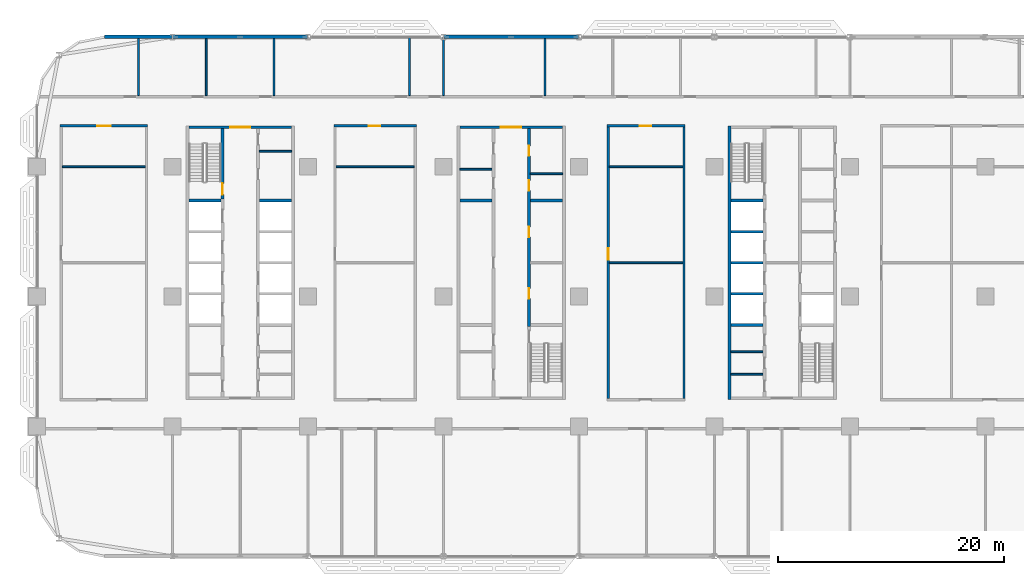
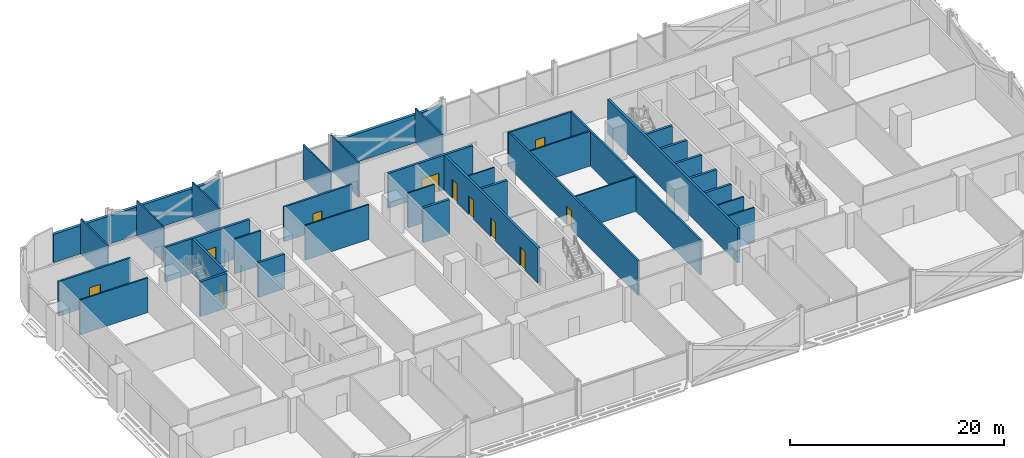
# One storey, part 14 of 29: 37 walls, 11 doors, 11 openings.
"""IFC4 building model written with IfcOpenShell, lengths in metres."""

from ifc_helpers import new_model, si_unit, direction, frame, frame_2d, origin, place, context, subcontext, project, spatial, rectangle, extrude, material, layer, layer_set, type_object, element, fill, save


model = new_model("IFC4")

# Units and contexts
model_context = context("Model", 3, precision=1e-05, world=origin(), true_north=direction((0.0, 1.0)))
body_context = subcontext(model_context, "Body", "Model", "MODEL_VIEW")
ifc_project = project(units=[si_unit("LENGTHUNIT", "METRE"), si_unit("AREAUNIT", "SQUARE_METRE"), si_unit("VOLUMEUNIT", "CUBIC_METRE"), si_unit("PLANEANGLEUNIT", "RADIAN"), si_unit("MASSUNIT", "GRAM", prefix="KILO")], contexts=[model_context])

# Site, building, storey
site_placement = place(None, origin())
site = spatial("IfcSite", under=ifc_project, at=site_placement, CompositionType="ELEMENT")
building_placement = place(site_placement, origin())
building = spatial("IfcBuilding", under=site, at=building_placement, Name="Mahtab Terrace Research Tower", CompositionType="ELEMENT")
storey_placement = place(building_placement, frame((0.0, 0.0, 54.60009765625)))
storey = spatial("IfcBuildingStorey", under=building, at=storey_placement, Name="L12", CompositionType="ELEMENT", Elevation=54.60009765625)

# Walls
ifc_material_1 = material(Name="Gypsum board partition")
ifc_layer_1 = layer(ifc_material_1, 0.14990234375)
ifc_layer_set_1 = layer_set([ifc_layer_1], Name="Core partition 150")
wall_type_1 = type_object("IfcWallType", Name="Core partition 150", PredefinedType="PARTITIONING", material=ifc_layer_set_1)
for number, where, z_axis, x_axis, name in (
    (1, (-22.300048828125, 12.875, 0.0), (0.0, 0.0, 1.0), (1.0, 0.0, 0.0), "Core wall A pEN988"),
    (2, (-4.550048828125, 11.27490234375, 0.0), (0.0, 0.0, 1.0), (1.0, 0.0, 0.0), "Core wall B pWN828"),
    (3, (1.699951171875, 10.875, 0.0), (0.0, 0.0, 1.0), (1.0, 0.0, 0.0), "Core wall B pEN788"),
    (4, (19.449951171875, -6.875, 0.0), (0.0, 0.0, 1.0), (1.0, 0.0, 0.0), "Core wall C pWS-988"),
    (5, (19.449951171875, -4.875, 0.0), (0.0, 0.0, 1.0), (1.0, 0.0, 0.0), "Core wall C pWS-788"),
):
    element("IfcWall", number, at=place(storey_placement, frame(where, z_axis=z_axis, x_axis=x_axis)), inside=storey, type_object=wall_type_1, Name=name, PredefinedType="PARTITIONING", context=body_context, shape_type="SweptSolid", body=[
        extrude(rectangle(XDim=2.85009765625, YDim=0.14990234375, at=frame_2d((1.425048828125, 0.0))), origin(), (0.0, 0.0, 1.0), 3.9599609375),
    ])

# Wall, opening, door
ifc_material_2 = material(Name="Concrete C70/85", Category="concrete")
ifc_layer_2 = layer(ifc_material_2, 0.25)
ifc_layer_set_2 = layer_set([ifc_layer_2], Name="Core wall 250")
wall_type_2 = type_object("IfcWallType", Name="Core wall 250", PredefinedType="SOLIDWALL", material=ifc_layer_set_2)
wall_1_placement = place(storey_placement, frame((-28.550048828125, 15.0, 0.0), z_axis=(0.0, 0.0, 1.0), x_axis=(1.0, 0.0, 0.0)))
wall_1 = element("IfcWall", 6, at=wall_1_placement, inside=storey, type_object=wall_type_2, Name="Core wall A endN", PredefinedType="SOLIDWALL", context=body_context, shape_type="SweptSolid", body=[
    extrude(rectangle(XDim=9.10009765625, YDim=0.25, at=frame_2d((4.550048828125, 0.0))), origin(), (0.0, 0.0, 1.0), 3.9599609375),
])
opening_1_placement = place(wall_1_placement, frame((3.64990234375, 0.0, 0.0)))
opening_1 = element("IfcOpeningElement", 7, at=opening_1_placement, cuts=wall_1, Name="Opening A-N1", PredefinedType="OPENING", context=body_context, shape_type="SweptSolid", body=[
    extrude(rectangle(XDim=1.800048828125, YDim=2.10009765625, at=frame_2d((0.89990234375, 1.050048828125))), frame((0.0, 0.135009765625, 0.0), z_axis=(0.0, -1.0, 0.0), x_axis=(1.0, 0.0, 0.0)), (0.0, 0.0, 1.0), 0.27001953125),
])
ifc_material_3 = material(Name="Steel fire door", Category="steel")
door_type_1 = type_object("IfcDoorType", Name="Lobby double door 1800x2100 1 HR", OperationType="DOUBLE_DOOR_SINGLE_SWING", PredefinedType="DOOR", material=ifc_material_3)
door_1_placement = place(opening_1_placement, origin())
door_1 = element("IfcDoor", 8, at=door_1_placement, inside=storey, type_object=door_type_1, Name="Core entrance door A N", OperationType="DOUBLE_DOOR_SINGLE_SWING", OverallHeight=2.10009765625, OverallWidth=1.800048828125, PredefinedType="DOOR", context=body_context, shape_type="SweptSolid", body=[
    extrude(rectangle(XDim=1.800048828125, YDim=2.10009765625, at=frame_2d((0.89990234375, 1.050048828125))), frame((0.0, 0.02490234375, 0.0), z_axis=(0.0, -1.0, 0.0), x_axis=(1.0, 0.0, 0.0)), (0.0, 0.0, 1.0), 0.050048828125),
])
fill(opening_1, door_1)

wall_2_placement = place(storey_placement, frame((-25.574951171875, 14.875, 0.0), z_axis=(0.0, 0.0, 1.0), x_axis=(0.0, -1.0, 0.0)))
wall_2 = element("IfcWall", 9, at=wall_2_placement, inside=storey, type_object=wall_type_2, Name="Core wall A innerWN", PredefinedType="SOLIDWALL", context=body_context, shape_type="SweptSolid", body=[
    extrude(rectangle(XDim=6.25, YDim=0.25, at=frame_2d((3.125, 0.0))), origin(), (0.0, 0.0, 1.0), 3.9599609375),
])
opening_2_placement = place(wall_2_placement, frame((4.85009765625, 0.0, 0.0)))
opening_2 = element("IfcOpeningElement", 10, at=opening_2_placement, cuts=wall_2, Name="Opening A-ST1", PredefinedType="OPENING", context=body_context, shape_type="SweptSolid", body=[
    extrude(rectangle(XDim=1.0, YDim=2.10009765625, at=frame_2d((0.5, 1.050048828125))), frame((0.0, 0.135009765625, 0.0), z_axis=(0.0, -1.0, 0.0), x_axis=(1.0, 0.0, 0.0)), (0.0, 0.0, 1.0), 0.27001953125),
])
door_type_2 = type_object("IfcDoorType", Name="Stair door 1000x2100 1.5 HR", OperationType="NOTDEFINED", PredefinedType="DOOR", material=ifc_material_3)
door_2_placement = place(opening_2_placement, origin())
door_2 = element("IfcDoor", 11, at=door_2_placement, inside=storey, type_object=door_type_2, Name="Stair door ST1 L12", OperationType="SINGLE_SWING_RIGHT", OverallHeight=2.10009765625, OverallWidth=1.0, PredefinedType="DOOR", context=body_context, shape_type="SweptSolid", body=[
    extrude(rectangle(XDim=1.0, YDim=2.10009765625, at=frame_2d((0.5, 1.050048828125))), frame((0.0, 0.02490234375, 0.0), z_axis=(0.0, -1.0, 0.0), x_axis=(1.0, 0.0, 0.0)), (0.0, 0.0, 1.0), 0.050048828125),
])
fill(opening_2, door_2)

# Walls
for number, where, z_axis, x_axis, name in (
    (12, (-28.550048828125, 8.5, 0.0), (0.0, 0.0, 1.0), (1.0, 0.0, 0.0), "Core wall A divW4"),
    (13, (-22.300048828125, 8.5, 0.0), (0.0, 0.0, 1.0), (1.0, 0.0, 0.0), "Core wall A divE4"),
):
    element("IfcWall", number, at=place(storey_placement, frame(where, z_axis=z_axis, x_axis=x_axis)), inside=storey, type_object=wall_type_2, Name=name, PredefinedType="SOLIDWALL", context=body_context, shape_type="SweptSolid", body=[
        extrude(rectangle(XDim=2.85009765625, YDim=0.25, at=frame_2d((1.425048828125, 0.0))), origin(), (0.0, 0.0, 1.0), 3.9599609375),
    ])

# Wall, opening, door
wall_3_placement = place(storey_placement, frame((-4.550048828125, 15.0, 0.0), z_axis=(0.0, 0.0, 1.0), x_axis=(1.0, 0.0, 0.0)))
wall_3 = element("IfcWall", 14, at=wall_3_placement, inside=storey, type_object=wall_type_2, Name="Core wall B endN", PredefinedType="SOLIDWALL", context=body_context, shape_type="SweptSolid", body=[
    extrude(rectangle(XDim=9.10009765625, YDim=0.25, at=frame_2d((4.550048828125, 0.0))), origin(), (0.0, 0.0, 1.0), 3.9599609375),
])
opening_3_placement = place(wall_3_placement, frame((3.64990234375, 0.0, 0.0)))
opening_3 = element("IfcOpeningElement", 15, at=opening_3_placement, cuts=wall_3, Name="Opening B-N1", PredefinedType="OPENING", context=body_context, shape_type="SweptSolid", body=[
    extrude(rectangle(XDim=1.800048828125, YDim=2.10009765625, at=frame_2d((0.89990234375, 1.050048828125))), frame((0.0, 0.135009765625, 0.0), z_axis=(0.0, -1.0, 0.0), x_axis=(1.0, 0.0, 0.0)), (0.0, 0.0, 1.0), 0.27001953125),
])
door_3_placement = place(opening_3_placement, origin())
door_3 = element("IfcDoor", 16, at=door_3_placement, inside=storey, type_object=door_type_1, Name="Core entrance door B N", OperationType="DOUBLE_DOOR_SINGLE_SWING", OverallHeight=2.10009765625, OverallWidth=1.800048828125, PredefinedType="DOOR", context=body_context, shape_type="SweptSolid", body=[
    extrude(rectangle(XDim=1.800048828125, YDim=2.10009765625, at=frame_2d((0.89990234375, 1.050048828125))), frame((0.0, 0.02490234375, 0.0), z_axis=(0.0, -1.0, 0.0), x_axis=(1.0, 0.0, 0.0)), (0.0, 0.0, 1.0), 0.050048828125),
])
fill(opening_3, door_3)

# Wall, openings, doors
wall_4_placement = place(storey_placement, frame((1.574951171875, 14.875, 0.0), z_axis=(0.0, 0.0, 1.0), x_axis=(0.0, -1.0, 0.0)))
wall_4 = element("IfcWall", 17, at=wall_4_placement, inside=storey, type_object=wall_type_2, Name="Core wall B innerELN", PredefinedType="SOLIDWALL", context=body_context, shape_type="SweptSolid", body=[
    extrude(rectangle(XDim=17.5, YDim=0.25, at=frame_2d((8.75, 0.0))), origin(), (0.0, 0.0, 1.0), 3.9599609375),
])
opening_4_placement = place(wall_4_placement, frame((14.14990234375, 0.0, 0.0)))
opening_4 = element("IfcOpeningElement", 18, at=opening_4_placement, cuts=wall_4, Name="Opening B-R2", PredefinedType="OPENING", context=body_context, shape_type="SweptSolid", body=[
    extrude(rectangle(XDim=0.89990234375, YDim=2.10009765625, at=frame_2d((0.449951171875, 1.050048828125))), frame((0.0, 0.135009765625, 0.0), z_axis=(0.0, -1.0, 0.0), x_axis=(1.0, 0.0, 0.0)), (0.0, 0.0, 1.0), 0.27001953125),
])
opening_5_placement = place(wall_4_placement, frame((8.699951171875, 0.0, 0.0)))
opening_5 = element("IfcOpeningElement", 19, at=opening_5_placement, cuts=wall_4, Name="Opening B-R3", PredefinedType="OPENING", context=body_context, shape_type="SweptSolid", body=[
    extrude(rectangle(XDim=0.89990234375, YDim=2.10009765625, at=frame_2d((0.449951171875, 1.050048828125))), frame((0.0, 0.135009765625, 0.0), z_axis=(0.0, -1.0, 0.0), x_axis=(1.0, 0.0, 0.0)), (0.0, 0.0, 1.0), 0.27001953125),
])
opening_6_placement = place(wall_4_placement, frame((4.58740234375, 0.0, 0.0)))
opening_6 = element("IfcOpeningElement", 20, at=opening_6_placement, cuts=wall_4, Name="Opening B-R8", PredefinedType="OPENING", context=body_context, shape_type="SweptSolid", body=[
    extrude(rectangle(XDim=0.89990234375, YDim=2.10009765625, at=frame_2d((0.449951171875, 1.050048828125))), frame((0.0, 0.135009765625, 0.0), z_axis=(0.0, -1.0, 0.0), x_axis=(1.0, 0.0, 0.0)), (0.0, 0.0, 1.0), 0.27001953125),
])
opening_7_placement = place(wall_4_placement, frame((1.512451171875, 0.0, 0.0)))
opening_7 = element("IfcOpeningElement", 21, at=opening_7_placement, cuts=wall_4, Name="Opening B-R9", PredefinedType="OPENING", context=body_context, shape_type="SweptSolid", body=[
    extrude(rectangle(XDim=0.89990234375, YDim=2.10009765625, at=frame_2d((0.449951171875, 1.050048828125))), frame((0.0, 0.135009765625, 0.0), z_axis=(0.0, -1.0, 0.0), x_axis=(1.0, 0.0, 0.0)), (0.0, 0.0, 1.0), 0.27001953125),
])
door_type_3 = type_object("IfcDoorType", Name="Room door 900x2100 1 HR", OperationType="NOTDEFINED", PredefinedType="DOOR", material=ifc_material_3)
door_4_placement = place(opening_4_placement, origin())
door_4 = element("IfcDoor", 22, at=door_4_placement, inside=storey, type_object=door_type_3, Name="Document store door", OperationType="SINGLE_SWING_RIGHT", OverallHeight=2.10009765625, OverallWidth=0.89990234375, PredefinedType="DOOR", context=body_context, shape_type="SweptSolid", body=[
    extrude(rectangle(XDim=0.89990234375, YDim=2.10009765625, at=frame_2d((0.449951171875, 1.050048828125))), frame((0.0, 0.02490234375, 0.0), z_axis=(0.0, -1.0, 0.0), x_axis=(1.0, 0.0, 0.0)), (0.0, 0.0, 1.0), 0.050048828125),
])
fill(opening_4, door_4)
door_5_placement = place(opening_5_placement, origin())
door_5 = element("IfcDoor", 23, at=door_5_placement, inside=storey, type_object=door_type_3, Name="IT equipment room door", OperationType="SINGLE_SWING_LEFT", OverallHeight=2.10009765625, OverallWidth=0.89990234375, PredefinedType="DOOR", context=body_context, shape_type="SweptSolid", body=[
    extrude(rectangle(XDim=0.89990234375, YDim=2.10009765625, at=frame_2d((0.449951171875, 1.050048828125))), frame((0.0, 0.02490234375, 0.0), z_axis=(0.0, -1.0, 0.0), x_axis=(1.0, 0.0, 0.0)), (0.0, 0.0, 1.0), 0.050048828125),
])
fill(opening_5, door_5)
door_6_placement = place(opening_6_placement, origin())
door_6 = element("IfcDoor", 24, at=door_6_placement, inside=storey, type_object=door_type_3, Name="Accessible WC door", OperationType="SINGLE_SWING_RIGHT", OverallHeight=2.10009765625, OverallWidth=0.89990234375, PredefinedType="DOOR", context=body_context, shape_type="SweptSolid", body=[
    extrude(rectangle(XDim=0.89990234375, YDim=2.10009765625, at=frame_2d((0.449951171875, 1.050048828125))), frame((0.0, 0.02490234375, 0.0), z_axis=(0.0, -1.0, 0.0), x_axis=(1.0, 0.0, 0.0)), (0.0, 0.0, 1.0), 0.050048828125),
])
fill(opening_6, door_6)
door_7_placement = place(opening_7_placement, origin())
door_7 = element("IfcDoor", 25, at=door_7_placement, inside=storey, type_object=door_type_3, Name="WC block door", OperationType="SINGLE_SWING_LEFT", OverallHeight=2.10009765625, OverallWidth=0.89990234375, PredefinedType="DOOR", context=body_context, shape_type="SweptSolid", body=[
    extrude(rectangle(XDim=0.89990234375, YDim=2.10009765625, at=frame_2d((0.449951171875, 1.050048828125))), frame((0.0, 0.02490234375, 0.0), z_axis=(0.0, -1.0, 0.0), x_axis=(1.0, 0.0, 0.0)), (0.0, 0.0, 1.0), 0.050048828125),
])
fill(opening_7, door_7)

# Walls
for number, where, z_axis, x_axis, name in (
    (26, (-4.550048828125, 8.5, 0.0), (0.0, 0.0, 1.0), (1.0, 0.0, 0.0), "Core wall B divW4"),
    (27, (1.699951171875, 8.5, 0.0), (0.0, 0.0, 1.0), (1.0, 0.0, 0.0), "Core wall B divE4"),
):
    element("IfcWall", number, at=place(storey_placement, frame(where, z_axis=z_axis, x_axis=x_axis)), inside=storey, type_object=wall_type_2, Name=name, PredefinedType="SOLIDWALL", context=body_context, shape_type="SweptSolid", body=[
        extrude(rectangle(XDim=2.85009765625, YDim=0.25, at=frame_2d((1.425048828125, 0.0))), origin(), (0.0, 0.0, 1.0), 3.9599609375),
    ])
wall_5_placement = place(storey_placement, frame((19.324951171875, 15.125, 0.0), z_axis=(0.0, 0.0, 1.0), x_axis=(0.0, -1.0, 0.0)))
element("IfcWall", 28, at=wall_5_placement, inside=storey, type_object=wall_type_2, Name="Core wall C outerW", PredefinedType="SOLIDWALL", context=body_context, shape_type="SweptSolid", body=[
    extrude(rectangle(XDim=24.25, YDim=0.25, at=frame_2d((12.125, 0.0))), origin(), (0.0, 0.0, 1.0), 3.9599609375),
])
for number, where, z_axis, x_axis, name in (
    (29, (19.449951171875, -2.5, 0.0), (0.0, 0.0, 1.0), (1.0, 0.0, 0.0), "Core wall C divW0"),
    (30, (19.449951171875, 0.25, 0.0), (0.0, 0.0, 1.0), (1.0, 0.0, 0.0), "Core wall C divW1"),
    (31, (19.449951171875, 3.0, 0.0), (0.0, 0.0, 1.0), (1.0, 0.0, 0.0), "Core wall C divW2"),
    (32, (19.449951171875, 5.75, 0.0), (0.0, 0.0, 1.0), (1.0, 0.0, 0.0), "Core wall C divW3"),
    (33, (19.449951171875, 8.5, 0.0), (0.0, 0.0, 1.0), (1.0, 0.0, 0.0), "Core wall C divW4"),
):
    element("IfcWall", number, at=place(storey_placement, frame(where, z_axis=z_axis, x_axis=x_axis)), inside=storey, type_object=wall_type_2, Name=name, PredefinedType="SOLIDWALL", context=body_context, shape_type="SweptSolid", body=[
        extrude(rectangle(XDim=2.85009765625, YDim=0.25, at=frame_2d((1.425048828125, 0.0))), origin(), (0.0, 0.0, 1.0), 3.9599609375),
    ])
ifc_material_4 = material(Name="Black aluminium cladding panel", Category="aluminium")
ifc_layer_3 = layer(ifc_material_4, 0.300048828125)
ifc_layer_set_3 = layer_set([ifc_layer_3], Name="Opaque facade wall 300")
wall_type_3 = type_object("IfcWallType", Name="Opaque facade wall 300", PredefinedType="NOTDEFINED", material=ifc_layer_set_3)
for number, where, z_axis, x_axis, name in (
    (34, (5.97607421875, 23.0, 0.0), (0.0, 0.0, 1.0), (-1.0, 0.0, 0.0), "Opaque facade wall L12 N7"),
    (35, (-18.02392578125, 23.0, 0.0), (0.0, 0.0, 1.0), (-1.0, 0.0, 0.0), "Opaque facade wall L12 N9"),
):
    element("IfcWall", number, at=place(storey_placement, frame(where, z_axis=z_axis, x_axis=x_axis)), inside=storey, type_object=wall_type_3, Name=name, PredefinedType="NOTDEFINED", context=body_context, shape_type="SweptSolid", body=[
        extrude(rectangle(XDim=11.9521484375, YDim=0.300048828125, at=frame_2d((5.97607421875, 0.0))), origin(), (0.0, 0.0, 1.0), 3.202880859375),
    ])
wall_6_placement = place(storey_placement, frame((-30.02392578125, 23.0, 0.0), z_axis=(0.0, 0.0, 1.0), x_axis=(-1.0, 0.0, 0.0)))
element("IfcWall", 36, at=wall_6_placement, inside=storey, type_object=wall_type_3, Name="Opaque facade wall L12 N10", PredefinedType="NOTDEFINED", context=body_context, shape_type="SweptSolid", body=[
    extrude(rectangle(XDim=5.97607421875, YDim=0.300048828125, at=frame_2d((2.988037109375, 0.0))), origin(), (0.0, 0.0, 1.0), 3.202880859375),
])

# Wall, opening, door
ifc_material_5 = material(Name="Gypsum board corridor wall on steel studs", Category="steel")
ifc_layer_4 = layer(ifc_material_5, 0.199951171875)
ifc_layer_set_4 = layer_set([ifc_layer_4], Name="WALL CORRIDOR 200")
wall_type_4 = type_object("IfcWallType", Name="WALL CORRIDOR 200", PredefinedType="PARTITIONING", material=ifc_layer_set_4)
wall_7_placement = place(storey_placement, frame((-39.949951171875, 15.125, 0.0), z_axis=(0.0, 0.0, 1.0), x_axis=(1.0, 0.0, 0.0)))
wall_7 = element("IfcWall", 37, at=wall_7_placement, inside=storey, type_object=wall_type_4, Name="L12-W022", PredefinedType="PARTITIONING", context=body_context, shape_type="SweptSolid", body=[
    extrude(rectangle(XDim=7.75, YDim=0.199951171875, at=frame_2d((3.875, 0.0))), origin(), (0.0, 0.0, 1.0), 3.9599609375),
])
opening_8_placement = place(wall_7_placement, frame((3.300048828125, 0.0, 0.0)))
opening_8 = element("IfcOpeningElement", 38, at=opening_8_placement, cuts=wall_7, Name="Opening L12-126", PredefinedType="OPENING", context=body_context, shape_type="SweptSolid", body=[
    extrude(rectangle(XDim=1.199951171875, YDim=2.10009765625, at=frame_2d((0.60009765625, 1.050048828125))), frame((0.0, 0.10986328125, 0.0), z_axis=(0.0, -1.0, 0.0), x_axis=(1.0, 0.0, 0.0)), (0.0, 0.0, 1.0), 0.219970703125),
])
ifc_material_6 = material(Name="Timber door leaf in steel frame", Category="steel")
door_type_4 = type_object("IfcDoorType", Name="DOOR 1200X2100 FD30S", OperationType="SINGLE_SWING_LEFT", PredefinedType="DOOR", material=ifc_material_6)
door_8_placement = place(opening_8_placement, origin())
door_8 = element("IfcDoor", 39, at=door_8_placement, inside=storey, type_object=door_type_4, Name="Door L12-126", OperationType="SINGLE_SWING_LEFT", OverallHeight=2.10009765625, OverallWidth=1.199951171875, PredefinedType="DOOR", context=body_context, shape_type="SweptSolid", body=[
    extrude(rectangle(XDim=1.199951171875, YDim=2.10009765625, at=frame_2d((0.60009765625, 1.050048828125))), frame((0.0, 0.02490234375, 0.0), z_axis=(0.0, -1.0, 0.0), x_axis=(1.0, 0.0, 0.0)), (0.0, 0.0, 1.0), 0.050048828125),
])
fill(opening_8, door_8)

wall_8_placement = place(storey_placement, frame((-15.699951171875, 15.125, 0.0), z_axis=(0.0, 0.0, 1.0), x_axis=(1.0, 0.0, 0.0)))
wall_8 = element("IfcWall", 40, at=wall_8_placement, inside=storey, type_object=wall_type_4, Name="L12-W023", PredefinedType="PARTITIONING", context=body_context, shape_type="SweptSolid", body=[
    extrude(rectangle(XDim=7.300048828125, YDim=0.199951171875, at=frame_2d((3.64990234375, 0.0))), origin(), (0.0, 0.0, 1.0), 3.9599609375),
])
opening_9_placement = place(wall_8_placement, frame((3.10009765625, 0.0, 0.0)))
opening_9 = element("IfcOpeningElement", 41, at=opening_9_placement, cuts=wall_8, Name="Opening L12-127", PredefinedType="OPENING", context=body_context, shape_type="SweptSolid", body=[
    extrude(rectangle(XDim=1.0, YDim=2.10009765625, at=frame_2d((0.5, 1.050048828125))), frame((0.0, 0.10986328125, 0.0), z_axis=(0.0, -1.0, 0.0), x_axis=(1.0, 0.0, 0.0)), (0.0, 0.0, 1.0), 0.219970703125),
])
door_type_5 = type_object("IfcDoorType", Name="DOOR 1000X2100 FD30S", OperationType="SINGLE_SWING_LEFT", PredefinedType="DOOR", material=ifc_material_6)
door_9_placement = place(opening_9_placement, origin())
door_9 = element("IfcDoor", 42, at=door_9_placement, inside=storey, type_object=door_type_5, Name="Door L12-127", OperationType="SINGLE_SWING_RIGHT", OverallHeight=2.10009765625, OverallWidth=1.0, PredefinedType="DOOR", context=body_context, shape_type="SweptSolid", body=[
    extrude(rectangle(XDim=1.0, YDim=2.10009765625, at=frame_2d((0.5, 1.050048828125))), frame((0.0, 0.02490234375, 0.0), z_axis=(0.0, -1.0, 0.0), x_axis=(1.0, 0.0, 0.0)), (0.0, 0.0, 1.0), 0.050048828125),
])
fill(opening_9, door_9)

wall_9_placement = place(storey_placement, frame((8.5, 15.125, 0.0), z_axis=(0.0, 0.0, 1.0), x_axis=(1.0, 0.0, 0.0)))
wall_9 = element("IfcWall", 43, at=wall_9_placement, inside=storey, type_object=wall_type_4, Name="L12-W024", PredefinedType="PARTITIONING", context=body_context, shape_type="SweptSolid", body=[
    extrude(rectangle(XDim=6.89990234375, YDim=0.199951171875, at=frame_2d((3.449951171875, 0.0))), origin(), (0.0, 0.0, 1.0), 3.9599609375),
])
opening_10_placement = place(wall_9_placement, frame((2.89990234375, 0.0, 0.0)))
opening_10 = element("IfcOpeningElement", 44, at=opening_10_placement, cuts=wall_9, Name="Opening L12-128", PredefinedType="OPENING", context=body_context, shape_type="SweptSolid", body=[
    extrude(rectangle(XDim=1.0, YDim=2.10009765625, at=frame_2d((0.5, 1.050048828125))), frame((0.0, 0.10986328125, 0.0), z_axis=(0.0, -1.0, 0.0), x_axis=(1.0, 0.0, 0.0)), (0.0, 0.0, 1.0), 0.219970703125),
])
door_10_placement = place(opening_10_placement, origin())
door_10 = element("IfcDoor", 45, at=door_10_placement, inside=storey, type_object=door_type_5, Name="Door L12-128", OperationType="SINGLE_SWING_RIGHT", OverallHeight=2.10009765625, OverallWidth=1.0, PredefinedType="DOOR", context=body_context, shape_type="SweptSolid", body=[
    extrude(rectangle(XDim=1.0, YDim=2.10009765625, at=frame_2d((0.5, 1.050048828125))), frame((0.0, 0.02490234375, 0.0), z_axis=(0.0, -1.0, 0.0), x_axis=(1.0, 0.0, 0.0)), (0.0, 0.0, 1.0), 0.050048828125),
])
fill(opening_10, door_10)

wall_10_placement = place(storey_placement, frame((8.60009765625, -9.02490234375, 0.0), z_axis=(0.0, 0.0, 1.0), x_axis=(0.0, 1.0, 0.0)))
wall_10 = element("IfcWall", 46, at=wall_10_placement, inside=storey, type_object=wall_type_4, Name="L12-W044", PredefinedType="PARTITIONING", context=body_context, shape_type="SweptSolid", body=[
    extrude(rectangle(XDim=24.0498046875, YDim=0.199951171875, at=frame_2d((12.02490234375, 0.0))), origin(), (0.0, 0.0, 1.0), 3.9599609375),
])
opening_11_placement = place(wall_10_placement, frame((12.300048828125, 0.0, 0.0)))
opening_11 = element("IfcOpeningElement", 47, at=opening_11_placement, cuts=wall_10, Name="Opening L12-123", PredefinedType="OPENING", context=body_context, shape_type="SweptSolid", body=[
    extrude(rectangle(XDim=1.0, YDim=2.10009765625, at=frame_2d((0.5, 1.050048828125))), frame((0.0, 0.10986328125, 0.0), z_axis=(0.0, -1.0, 0.0), x_axis=(1.0, 0.0, 0.0)), (0.0, 0.0, 1.0), 0.219970703125),
])
door_11_placement = place(opening_11_placement, origin())
door_11 = element("IfcDoor", 48, at=door_11_placement, inside=storey, type_object=door_type_5, Name="Door L12-123", OperationType="SINGLE_SWING_LEFT", OverallHeight=2.10009765625, OverallWidth=1.0, PredefinedType="DOOR", context=body_context, shape_type="SweptSolid", body=[
    extrude(rectangle(XDim=1.0, YDim=2.10009765625, at=frame_2d((0.5, 1.050048828125))), frame((0.0, 0.02490234375, 0.0), z_axis=(0.0, -1.0, 0.0), x_axis=(1.0, 0.0, 0.0)), (0.0, 0.0, 1.0), 0.050048828125),
])
fill(opening_11, door_11)

# Walls
wall_11_placement = place(storey_placement, frame((15.300048828125, -9.02490234375, 0.0), z_axis=(0.0, 0.0, 1.0), x_axis=(0.0, 1.0, 0.0)))
element("IfcWall", 49, at=wall_11_placement, inside=storey, type_object=wall_type_4, Name="L12-W048", PredefinedType="PARTITIONING", context=body_context, shape_type="SweptSolid", body=[
    extrude(rectangle(XDim=24.0498046875, YDim=0.199951171875, at=frame_2d((12.02490234375, 0.0))), origin(), (0.0, 0.0, 1.0), 3.9599609375),
])
ifc_material_7 = material(Name="Gypsum board partition on steel studs", Category="steel")
ifc_layer_5 = layer(ifc_material_7, 0.14990234375)
ifc_layer_set_5 = layer_set([ifc_layer_5], Name="WALL PARTITION 150")
wall_type_5 = type_object("IfcWallType", Name="WALL PARTITION 150", PredefinedType="PARTITIONING", material=ifc_layer_set_5)
wall_12_placement = place(storey_placement, frame((8.699951171875, 3.0, 0.0), z_axis=(0.0, 0.0, 1.0), x_axis=(1.0, 0.0, 0.0)))
element("IfcWall", 50, at=wall_12_placement, inside=storey, type_object=wall_type_5, Name="L12-W015", PredefinedType="PARTITIONING", context=body_context, shape_type="SweptSolid", body=[
    extrude(rectangle(XDim=6.5, YDim=0.14990234375, at=frame_2d((3.25, 0.0))), origin(), (0.0, 0.0, 1.0), 3.9599609375),
])
wall_13_placement = place(storey_placement, frame((-39.75, 11.5, 0.0), z_axis=(0.0, 0.0, 1.0), x_axis=(1.0, 0.0, 0.0)))
element("IfcWall", 51, at=wall_13_placement, inside=storey, type_object=wall_type_5, Name="L12-W017", PredefinedType="PARTITIONING", context=body_context, shape_type="SweptSolid", body=[
    extrude(rectangle(XDim=7.35009765625, YDim=0.14990234375, at=frame_2d((3.675048828125, 0.0))), origin(), (0.0, 0.0, 1.0), 3.9599609375),
])
wall_14_placement = place(storey_placement, frame((-15.5, 11.5, 0.0), z_axis=(0.0, 0.0, 1.0), x_axis=(1.0, 0.0, 0.0)))
element("IfcWall", 52, at=wall_14_placement, inside=storey, type_object=wall_type_5, Name="L12-W018", PredefinedType="PARTITIONING", context=body_context, shape_type="SweptSolid", body=[
    extrude(rectangle(XDim=6.89990234375, YDim=0.14990234375, at=frame_2d((3.449951171875, 0.0))), origin(), (0.0, 0.0, 1.0), 3.9599609375),
])
wall_15_placement = place(storey_placement, frame((8.699951171875, 11.5, 0.0), z_axis=(0.0, 0.0, 1.0), x_axis=(1.0, 0.0, 0.0)))
element("IfcWall", 53, at=wall_15_placement, inside=storey, type_object=wall_type_5, Name="L12-W019", PredefinedType="PARTITIONING", context=body_context, shape_type="SweptSolid", body=[
    extrude(rectangle(XDim=6.5, YDim=0.14990234375, at=frame_2d((3.25, 0.0))), origin(), (0.0, 0.0, 1.0), 3.9599609375),
])
for number, where, z_axis, x_axis, name in (
    (54, (-33.0, 17.800048828125, 0.0), (0.0, 0.0, 1.0), (0.0, 1.0, 0.0), "L12-W028"),
    (55, (-27.0, 17.800048828125, 0.0), (0.0, 0.0, 1.0), (0.0, 1.0, 0.0), "L12-W031"),
    (56, (-21.0, 17.800048828125, 0.0), (0.0, 0.0, 1.0), (0.0, 1.0, 0.0), "L12-W033"),
):
    element("IfcWall", number, at=place(storey_placement, frame(where, z_axis=z_axis, x_axis=x_axis)), inside=storey, type_object=wall_type_5, Name=name, PredefinedType="PARTITIONING", context=body_context, shape_type="SweptSolid", body=[
        extrude(rectangle(XDim=5.050048828125, YDim=0.14990234375, at=frame_2d((2.52490234375, 0.0))), origin(), (0.0, 0.0, 1.0), 3.9599609375),
    ])
for number, where, z_axis, x_axis, name in (
    (57, (-9.0, 17.800048828125, 0.0), (0.0, 0.0, 1.0), (0.0, 1.0, 0.0), "L12-W038"),
    (58, (-6.0, 17.800048828125, 0.0), (0.0, 0.0, 1.0), (0.0, 1.0, 0.0), "L12-W041"),
):
    element("IfcWall", number, at=place(storey_placement, frame(where, z_axis=z_axis, x_axis=x_axis)), inside=storey, type_object=wall_type_5, Name=name, PredefinedType="PARTITIONING", context=body_context, shape_type="SweptSolid", body=[
        extrude(rectangle(XDim=5.175048828125, YDim=0.14990234375, at=frame_2d((2.58740234375, 0.0))), origin(), (0.0, 0.0, 1.0), 3.9599609375),
    ])
wall_16_placement = place(storey_placement, frame((3.0, 17.800048828125, 0.0), z_axis=(0.0, 0.0, 1.0), x_axis=(0.0, 1.0, 0.0)))
element("IfcWall", 59, at=wall_16_placement, inside=storey, type_object=wall_type_5, Name="L12-W042", PredefinedType="PARTITIONING", context=body_context, shape_type="SweptSolid", body=[
    extrude(rectangle(XDim=5.050048828125, YDim=0.14990234375, at=frame_2d((2.52490234375, 0.0))), origin(), (0.0, 0.0, 1.0), 3.9599609375),
])

save(model, "model.ifc")
